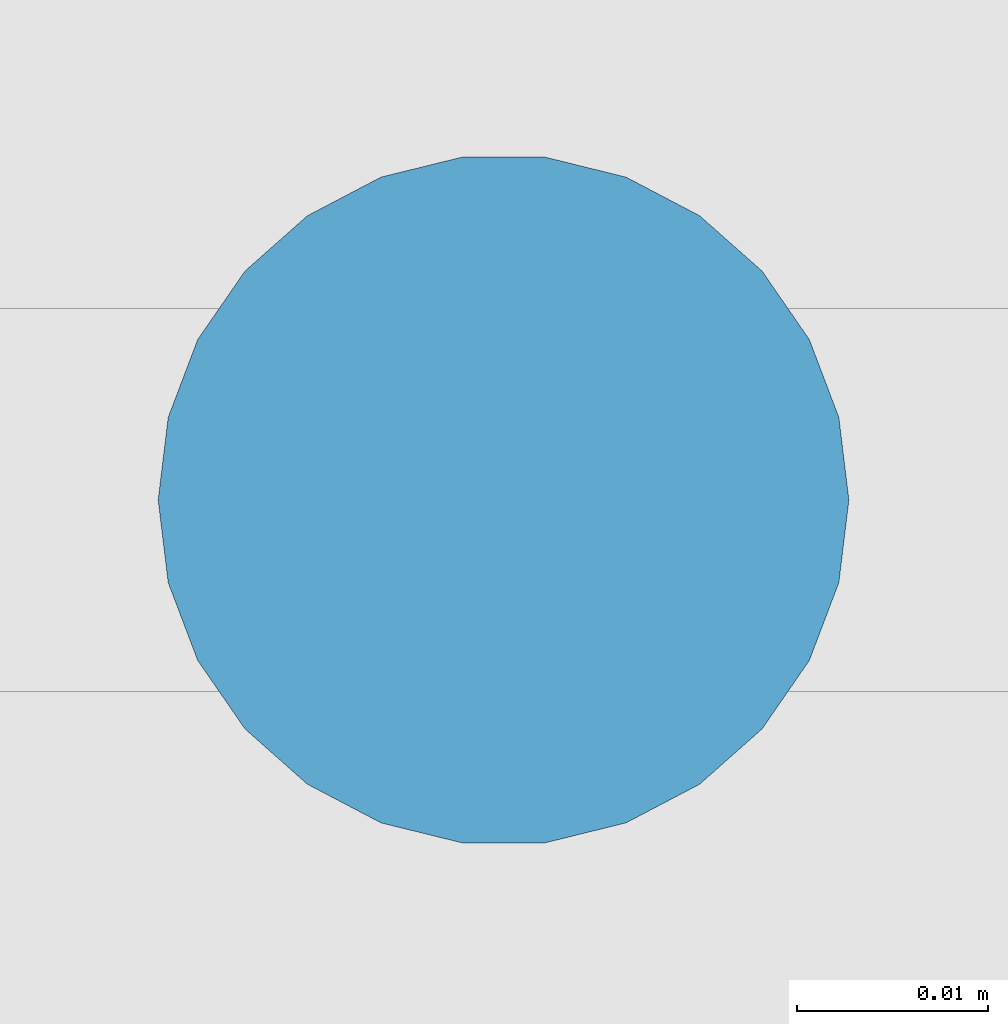
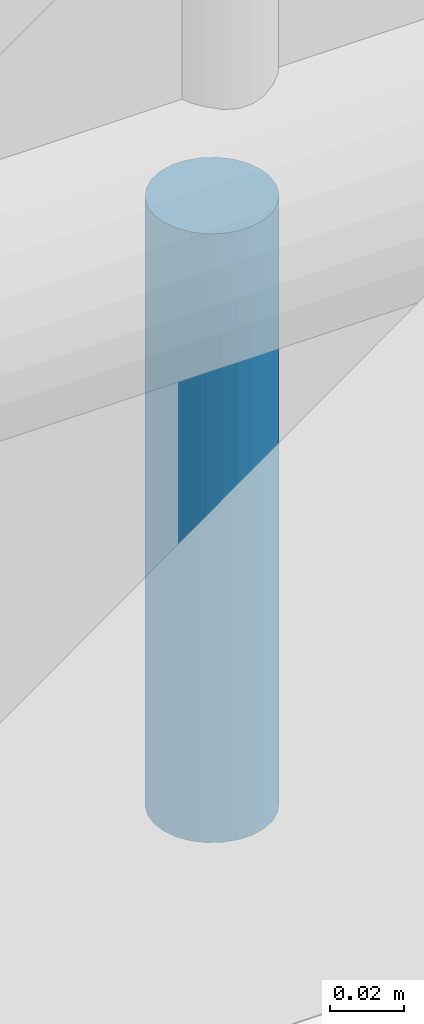
# One storey, part 237 of 321: 1 member.
"""IFC4 building model written with IfcOpenShell, lengths in metres."""

from ifc_helpers import new_model, si_unit, direction, frame, origin, origin_2d, place, context, subcontext, project, spatial, circle, extrude, material, material_profile, profile_set, type_object, element, save


model = new_model("IFC4")

# Units and contexts
model_context = context("Model", 3, precision=1e-05, world=origin(), true_north=direction((0.0, 1.0)))
body_context = subcontext(model_context, "Body", "Model", "MODEL_VIEW")
ifc_project = project(units=[si_unit("LENGTHUNIT", "METRE"), si_unit("AREAUNIT", "SQUARE_METRE"), si_unit("VOLUMEUNIT", "CUBIC_METRE"), si_unit("PLANEANGLEUNIT", "RADIAN"), si_unit("MASSUNIT", "GRAM", prefix="KILO")], contexts=[model_context])

# Site, building, storey
site_placement = place(None, origin())
site = spatial("IfcSite", under=ifc_project, at=site_placement, CompositionType="ELEMENT")
building_placement = place(site_placement, origin())
building = spatial("IfcBuilding", under=site, at=building_placement, Name="Ravi Spectrum Wholesale Market", CompositionType="ELEMENT")
storey_placement = place(building_placement, frame((0.0, 0.0, 10.800048828125)))
storey = spatial("IfcBuildingStorey", under=building, at=storey_placement, Name="L02", CompositionType="ELEMENT", Elevation=10.800048828125)

# Member
ifc_material = material(Name="Steel S355", Category="steel")
ifc_material_profile = material_profile(ifc_material, circle(Radius=0.01806640625, at=origin_2d()))
ifc_profile_set = profile_set([ifc_material_profile], Name="Steel S355")
member_type = type_object("IfcMemberType", Name="ROD 36 hanger", PredefinedType="STRUT", material=ifc_profile_set)
member_placement = place(storey_placement, frame((83.18310546875, 30.0, 0.0), z_axis=(0.0, 0.0, -1.0), x_axis=(1.0, 0.0, 0.0)))
element("IfcMember", 1, at=member_placement, inside=storey, type_object=member_type, Name="H1-MB-L02-1731", PredefinedType="STRUT", context=body_context, shape_type="SweptSolid", body=[
    extrude(circle(Radius=0.01806640625, at=origin_2d()), origin(), (0.0, 0.0, 1.0), 0.199951171875),
])

save(model, "model.ifc")
